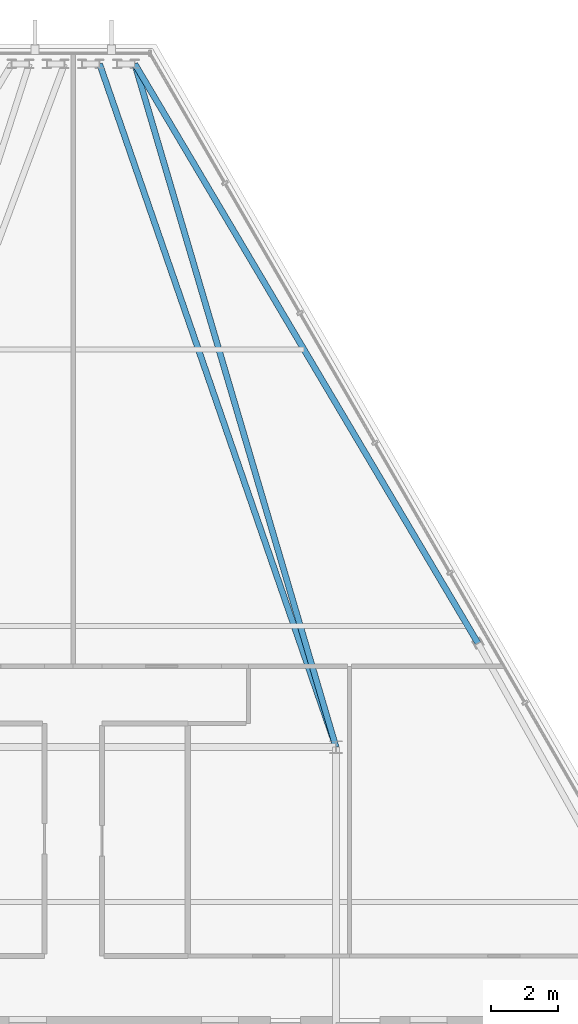
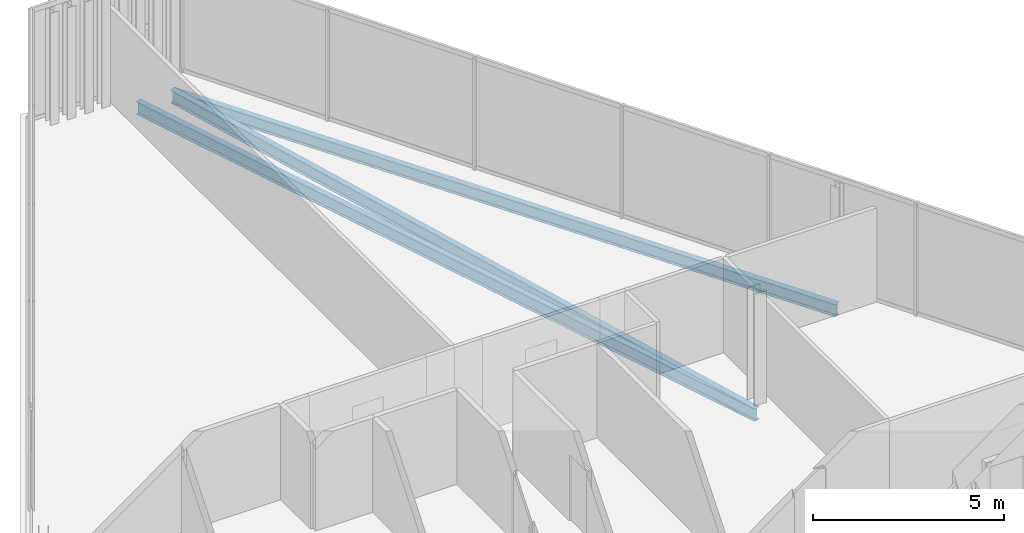
# One storey, part 18 of 32: 3 beams.
"""IFC4 building model written with IfcOpenShell, lengths in metres."""

from ifc_helpers import new_model, si_unit, direction, frame, origin, origin_2d, place, context, subcontext, project, spatial, i_section, extrude, material, material_profile, profile_set, type_object, element, save


model = new_model("IFC4")

# Units and contexts
model_context = context("Model", 3, precision=1e-05, world=origin(), true_north=direction((0.0, 1.0)))
body_context = subcontext(model_context, "Body", "Model", "MODEL_VIEW")
ifc_project = project(units=[si_unit("LENGTHUNIT", "METRE"), si_unit("AREAUNIT", "SQUARE_METRE"), si_unit("VOLUMEUNIT", "CUBIC_METRE"), si_unit("PLANEANGLEUNIT", "RADIAN"), si_unit("MASSUNIT", "GRAM", prefix="KILO")], contexts=[model_context])

# Site, building, storey
site_placement = place(None, origin())
site = spatial("IfcSite", under=ifc_project, at=site_placement, CompositionType="ELEMENT")
building_placement = place(site_placement, origin())
building = spatial("IfcBuilding", under=site, at=building_placement, Name="Ndaravel Arena Tower", CompositionType="ELEMENT")
storey_placement = place(building_placement, frame((0.0, 0.0, 283.300048828125)))
storey = spatial("IfcBuildingStorey", under=building, at=storey_placement, Name="L69", CompositionType="ELEMENT", Elevation=283.300048828125)

# Beams
ifc_material_1 = material(Name="Steel S355", Category="steel")
ifc_material_profile_1 = material_profile(ifc_material_1, i_section(OverallWidth=0.1787109375, OverallDepth=0.409423828125, WebThickness=0.0087890625, FlangeThickness=0.014404296875, FilletRadius=0.01025390625, at=origin_2d()), Name="UB 406x178x67")
ifc_profile_set_1 = profile_set([ifc_material_profile_1], Name="Steel S355")
beam_type_1 = type_object("IfcBeamType", Name="BM-GIRD-UB406", PredefinedType="BEAM", material=ifc_profile_set_1)
beam_1_placement = place(storey_placement, frame((43.82666015625, 43.477783203125, -0.4248046875), z_axis=(0.282572099201, -0.959246062673, 0.0), x_axis=(0.959246062673, 0.282572099201, 0.0)))
element("IfcBeam", 1, at=beam_1_placement, inside=storey, type_object=beam_type_1, Name="L69 Radial Floor Girder FG-11", PredefinedType="BEAM", context=body_context, shape_type="SweptSolid", body=[
    extrude(i_section(OverallWidth=0.1787109375, OverallDepth=0.409423828125, WebThickness=0.0087890625, FlangeThickness=0.014404296875, FilletRadius=0.01025390625, at=origin_2d()), origin(), (0.0, 0.0, 1.0), 21.139404296875),
])
beam_2_placement = place(storey_placement, frame((42.782958984375, 43.477783203125, -0.4248046875), z_axis=(0.327020682305, -0.945017181508, 0.0), x_axis=(0.945017181508, 0.327020682305, 0.0)))
element("IfcBeam", 2, at=beam_2_placement, inside=storey, type_object=beam_type_1, Name="L69 Radial Floor Girder FG-13", PredefinedType="BEAM", context=body_context, shape_type="SweptSolid", body=[
    extrude(i_section(OverallWidth=0.1787109375, OverallDepth=0.409423828125, WebThickness=0.0087890625, FlangeThickness=0.014404296875, FilletRadius=0.01025390625, at=origin_2d()), origin(), (0.0, 0.0, 1.0), 21.45751953125),
])
ifc_material_2 = material(Name="Steel S355", Category="steel")
ifc_material_profile_2 = material_profile(ifc_material_2, i_section(OverallWidth=0.179931640625, OverallDepth=0.39990234375, WebThickness=0.008544921875, FlangeThickness=0.013427734375, FilletRadius=0.02099609375, at=origin_2d()), Name="IPE 400")
ifc_profile_set_2 = profile_set([ifc_material_profile_2], Name="Steel S355")
beam_type_2 = type_object("IfcBeamType", Name="BM-SPAN-IPE400", PredefinedType="SPANDREL", material=ifc_profile_set_2)
beam_3_placement = place(storey_placement, frame((54.0126953125, 26.286865234375, -0.420166015625), z_axis=(-0.509758851442, 0.860317332952, 0.0), x_axis=(-0.860317332952, -0.509758851442, 0.0)))
element("IfcBeam", 3, at=beam_3_placement, inside=storey, type_object=beam_type_2, Name="L69 Perimeter Spandrel Beam SP-10", PredefinedType="SPANDREL", context=body_context, shape_type="SweptSolid", body=[
    extrude(i_section(OverallWidth=0.179931640625, OverallDepth=0.39990234375, WebThickness=0.008544921875, FlangeThickness=0.013427734375, FilletRadius=0.02099609375, at=origin_2d()), origin(), (0.0, 0.0, 1.0), 19.982177734375),
])

save(model, "model.ifc")
